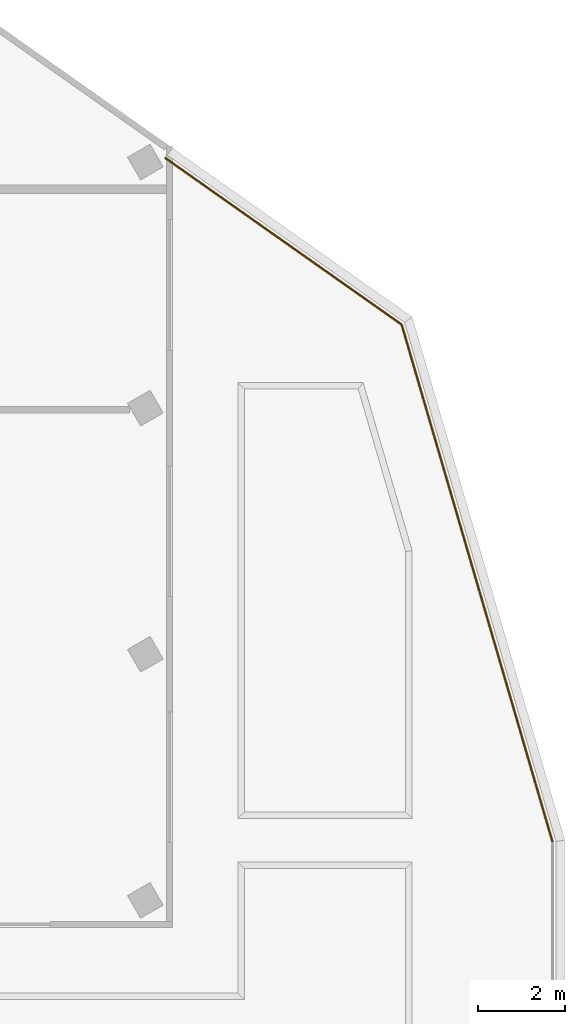
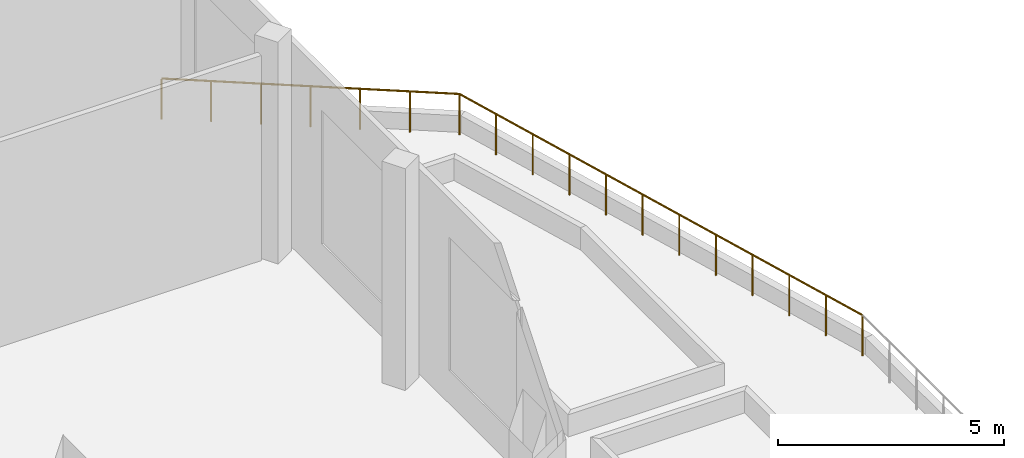
# One storey, part 29 of 29: 2 railings.
"""IFC4 building model written with IfcOpenShell, lengths in metres."""

from ifc_helpers import new_model, si_unit, direction, frame, origin, origin_2d, place, context, subcontext, project, spatial, circle, extrude, material, type_object, element, save


model = new_model("IFC4")

# Units and contexts
model_context = context("Model", 3, precision=1e-05, world=origin(), true_north=direction((0.0, 1.0)))
body_context = subcontext(model_context, "Body", "Model", "MODEL_VIEW")
ifc_project = project(units=[si_unit("LENGTHUNIT", "METRE"), si_unit("AREAUNIT", "SQUARE_METRE"), si_unit("VOLUMEUNIT", "CUBIC_METRE"), si_unit("PLANEANGLEUNIT", "RADIAN"), si_unit("MASSUNIT", "GRAM", prefix="KILO")], contexts=[model_context])

# Site, building, storey
site_placement = place(None, origin())
site = spatial("IfcSite", under=ifc_project, at=site_placement, CompositionType="ELEMENT")
building_placement = place(site_placement, origin())
building = spatial("IfcBuilding", under=site, at=building_placement, Name="Verdalira Terraces Hotel", CompositionType="ELEMENT")
storey_placement = place(building_placement, frame((0.0, 0.0, 8.0)))
storey = spatial("IfcBuildingStorey", under=building, at=storey_placement, Name="L01", CompositionType="ELEMENT", Elevation=8.0)

# Railings
ifc_material = material(Name="Clear laminated glass", Category="glass")
railing_type = type_object("IfcRailingType", Name="Terrace glass guard 1120", PredefinedType="GUARDRAIL", material=ifc_material)
railing_1_placement = place(storey_placement, frame((35.719971, 21.959961, 0.0)))
element("IfcRailing", 1, at=railing_1_placement, inside=storey, type_object=railing_type, Name="Terrace guard", PredefinedType="GUARDRAIL", context=body_context, shape_type="SweptSolid", body=[
    extrude(circle(Radius=0.023926, at=origin_2d()), frame((0.0, 0.0, 1.096191), z_axis=(-0.280001517, 0.959999558, 0.0), x_axis=(-0.959999558, -0.280001517, 0.0)), (0.0, 0.0, 1.0), 12.362061),
    extrude(circle(Radius=0.020996, at=origin_2d()), origin(), (0.0, 0.0, 1.0), 1.072021),
    extrude(circle(Radius=0.020996, at=origin_2d()), frame((-0.314697, 1.078857, 0.0)), (0.0, 0.0, 1.0), 1.072021),
    extrude(circle(Radius=0.020996, at=origin_2d()), frame((-0.629395, 2.157715, 0.0)), (0.0, 0.0, 1.0), 1.072021),
    extrude(circle(Radius=0.020996, at=origin_2d()), frame((-0.944092, 3.236572, 0.0)), (0.0, 0.0, 1.0), 1.072021),
    extrude(circle(Radius=0.020996, at=origin_2d()), frame((-1.258789, 4.31543, 0.0)), (0.0, 0.0, 1.0), 1.072021),
    extrude(circle(Radius=0.020996, at=origin_2d()), frame((-1.573486, 5.394287, 0.0)), (0.0, 0.0, 1.0), 1.072021),
    extrude(circle(Radius=0.020996, at=origin_2d()), frame((-1.887939, 6.473389, 0.0)), (0.0, 0.0, 1.0), 1.072021),
    extrude(circle(Radius=0.020996, at=origin_2d()), frame((-2.202637, 7.552246, 0.0)), (0.0, 0.0, 1.0), 1.072021),
    extrude(circle(Radius=0.020996, at=origin_2d()), frame((-2.517334, 8.631104, 0.0)), (0.0, 0.0, 1.0), 1.072021),
    extrude(circle(Radius=0.020996, at=origin_2d()), frame((-2.832031, 9.709961, 0.0)), (0.0, 0.0, 1.0), 1.072021),
    extrude(circle(Radius=0.020996, at=origin_2d()), frame((-3.146729, 10.788818, 0.0)), (0.0, 0.0, 1.0), 1.072021),
    extrude(circle(Radius=0.020996, at=origin_2d()), frame((-3.461426, 11.867676, 0.0)), (0.0, 0.0, 1.0), 1.072021),
])
railing_2_placement = place(storey_placement, frame((32.258545, 33.827637, 0.0)))
element("IfcRailing", 2, at=railing_2_placement, inside=storey, type_object=railing_type, Name="Terrace guard", PredefinedType="GUARDRAIL", context=body_context, shape_type="SweptSolid", body=[
    extrude(circle(Radius=0.023926, at=origin_2d()), frame((0.0, 0.0, 1.096191), z_axis=(-0.817411506, 0.57605419, 0.0), x_axis=(-0.57605419, -0.817411506, 0.0)), (0.0, 0.0, 1.0), 6.630615),
    extrude(circle(Radius=0.020996, at=origin_2d()), origin(), (0.0, 0.0, 1.0), 1.072021),
    extrude(circle(Radius=0.020996, at=origin_2d()), frame((-0.90332, 0.636719, 0.0)), (0.0, 0.0, 1.0), 1.072021),
    extrude(circle(Radius=0.020996, at=origin_2d()), frame((-1.806641, 1.273193, 0.0)), (0.0, 0.0, 1.0), 1.072021),
    extrude(circle(Radius=0.020996, at=origin_2d()), frame((-2.709961, 1.909668, 0.0)), (0.0, 0.0, 1.0), 1.072021),
    extrude(circle(Radius=0.020996, at=origin_2d()), frame((-3.613281, 2.546387, 0.0)), (0.0, 0.0, 1.0), 1.072021),
    extrude(circle(Radius=0.020996, at=origin_2d()), frame((-4.516602, 3.183105, 0.0)), (0.0, 0.0, 1.0), 1.072021),
    extrude(circle(Radius=0.020996, at=origin_2d()), frame((-5.419922, 3.81958, 0.0)), (0.0, 0.0, 1.0), 1.072021),
])

save(model, "model.ifc")
